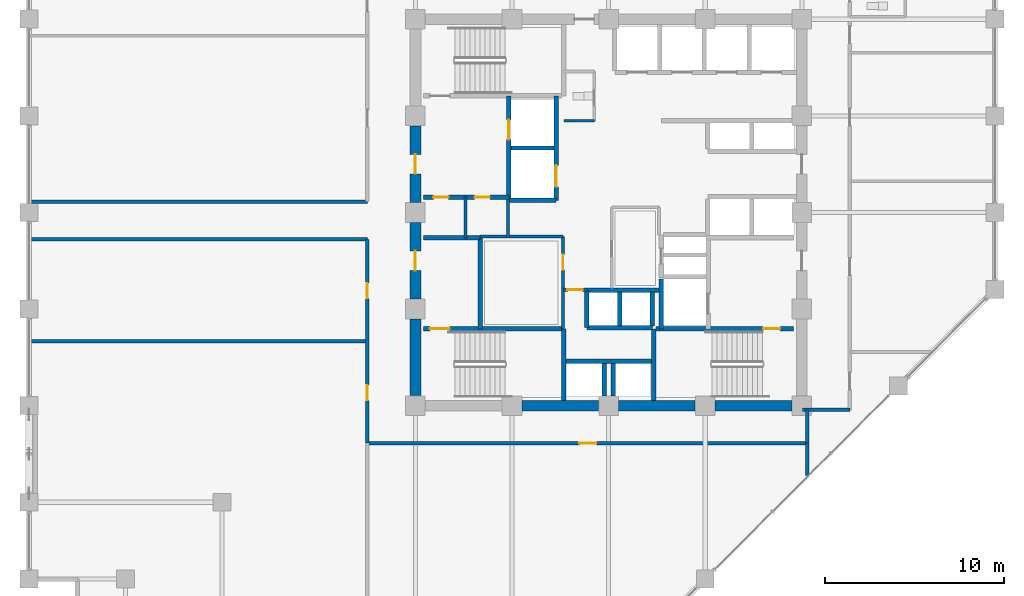
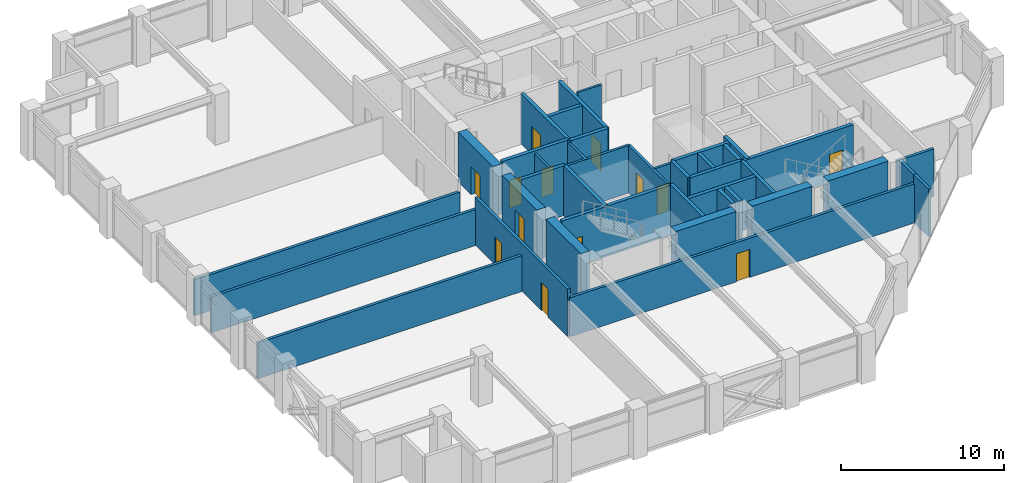
# One storey, part 19 of 23: 40 walls, 13 doors, 13 openings.
"""IFC4 building model written with IfcOpenShell, lengths in metres."""

from ifc_helpers import new_model, si_unit, direction, frame, frame_2d, origin, place, context, subcontext, project, spatial, rectangle, extrude, material, layer, layer_set, type_object, element, fill, save


model = new_model("IFC4")

# Units and contexts
model_context = context("Model", 3, precision=1e-05, world=origin(), true_north=direction((0.0, 1.0)))
body_context = subcontext(model_context, "Body", "Model", "MODEL_VIEW")
ifc_project = project(units=[si_unit("LENGTHUNIT", "METRE"), si_unit("AREAUNIT", "SQUARE_METRE"), si_unit("VOLUMEUNIT", "CUBIC_METRE"), si_unit("PLANEANGLEUNIT", "RADIAN"), si_unit("MASSUNIT", "GRAM", prefix="KILO")], contexts=[model_context])

# Site, building, storey
site_placement = place(None, origin())
site = spatial("IfcSite", under=ifc_project, at=site_placement, CompositionType="ELEMENT")
building_placement = place(site_placement, origin())
building = spatial("IfcBuilding", under=site, at=building_placement, Name="Surkhivell Harbour Commons", CompositionType="ELEMENT")
storey_placement = place(building_placement, frame((0.0, 0.0, 128.25)))
storey = spatial("IfcBuildingStorey", under=building, at=storey_placement, Name="L33", CompositionType="ELEMENT", Elevation=128.25)

# Walls
ifc_material_1 = material(Name="Concrete C60/75", Category="concrete")
ifc_layer_1 = layer(ifc_material_1, 0.60009765625)
ifc_layer_set_1 = layer_set([ifc_layer_1], Name="Concrete C60/75")
wall_type_1 = type_object("IfcWallType", Name="WAL-CORE-600", PredefinedType="SHEAR", material=ifc_layer_set_1)
for number, where, z_axis, x_axis, name in (
    (1, (-10.800048828125, -10.239990234375, 0.0), (0.0, 0.0, 1.0), (0.0, 1.0, 0.0), "L33 Core Shear Wall West 1"),
    (2, (-4.840087890625, -10.800048828125, 0.0), (0.0, 0.0, 1.0), (1.0, 0.0, 0.0), "L33 Core Shear Wall South 2"),
):
    element("IfcWall", number, at=place(storey_placement, frame(where, z_axis=z_axis, x_axis=x_axis)), inside=storey, type_object=wall_type_1, Name=name, PredefinedType="SHEAR", context=body_context, shape_type="SweptSolid", body=[
        extrude(rectangle(XDim=4.280029296875, YDim=0.60009765625, at=frame_2d((2.14013671875, 0.0))), origin(), (0.0, 0.0, 1.0), 3.75),
    ])

# Wall, opening, door
wall_1_placement = place(storey_placement, frame((-10.800048828125, -4.840087890625, 0.0), z_axis=(0.0, 0.0, 1.0), x_axis=(0.0, 1.0, 0.0)))
wall_1 = element("IfcWall", 3, at=wall_1_placement, inside=storey, type_object=wall_type_1, Name="L33 Core Shear Wall West 2", PredefinedType="SHEAR", context=body_context, shape_type="SweptSolid", body=[
    extrude(rectangle(XDim=4.280029296875, YDim=0.60009765625, at=frame_2d((2.14013671875, 0.0))), origin(), (0.0, 0.0, 1.0), 3.75),
])
opening_1_placement = place(wall_1_placement, frame((1.590087890625, 0.0, 0.0)))
opening_1 = element("IfcOpeningElement", 4, at=opening_1_placement, cuts=wall_1, Name="Opening ID-2", PredefinedType="OPENING", context=body_context, shape_type="SweptSolid", body=[
    extrude(rectangle(XDim=1.10009765625, YDim=2.10009765625, at=frame_2d((0.550048828125, 1.050048828125))), frame((0.0, 0.31005859375, 0.0), z_axis=(0.0, -1.0, 0.0), x_axis=(1.0, 0.0, 0.0)), (0.0, 0.0, 1.0), 0.6201171875),
])
ifc_material_2 = material(Name="Hardwood-veneered fire-rated door leaf", Category="wood")
door_type_1 = type_object("IfcDoorType", Name="DOR-FD60-1100", OperationType="NOTDEFINED", PredefinedType="DOOR", material=ifc_material_2)
door_1_placement = place(opening_1_placement, origin())
door_1 = element("IfcDoor", 5, at=door_1_placement, inside=storey, type_object=door_type_1, Name="L33 Stair 3 Lobby Corridor Door", OperationType="SINGLE_SWING_LEFT", OverallHeight=2.10009765625, OverallWidth=1.10009765625, PredefinedType="DOOR", context=body_context, shape_type="SweptSolid", body=[
    extrude(rectangle(XDim=1.10009765625, YDim=2.10009765625, at=frame_2d((0.550048828125, 1.050048828125))), frame((0.0, 0.02490234375, 0.0), z_axis=(0.0, -1.0, 0.0), x_axis=(1.0, 0.0, 0.0)), (0.0, 0.0, 1.0), 0.050048828125),
])
fill(opening_1, door_1)

# Wall
wall_2_placement = place(storey_placement, frame((0.56005859375, -10.800048828125, 0.0), z_axis=(0.0, 0.0, 1.0), x_axis=(1.0, 0.0, 0.0)))
element("IfcWall", 6, at=wall_2_placement, inside=storey, type_object=wall_type_1, Name="L33 Core Shear Wall South 3", PredefinedType="SHEAR", context=body_context, shape_type="SweptSolid", body=[
    extrude(rectangle(XDim=4.280029296875, YDim=0.60009765625, at=frame_2d((2.14013671875, 0.0))), origin(), (0.0, 0.0, 1.0), 3.75),
])

# Wall, opening, door
wall_3_placement = place(storey_placement, frame((-10.800048828125, 0.56005859375, 0.0), z_axis=(0.0, 0.0, 1.0), x_axis=(0.0, 1.0, 0.0)))
wall_3 = element("IfcWall", 7, at=wall_3_placement, inside=storey, type_object=wall_type_1, Name="L33 Core Shear Wall West 3", PredefinedType="SHEAR", context=body_context, shape_type="SweptSolid", body=[
    extrude(rectangle(XDim=4.280029296875, YDim=0.60009765625, at=frame_2d((2.14013671875, 0.0))), origin(), (0.0, 0.0, 1.0), 3.75),
])
opening_2_placement = place(wall_3_placement, frame((1.590087890625, 0.0, 0.0)))
opening_2 = element("IfcOpeningElement", 8, at=opening_2_placement, cuts=wall_3, Name="Opening ID-1", PredefinedType="OPENING", context=body_context, shape_type="SweptSolid", body=[
    extrude(rectangle(XDim=1.10009765625, YDim=2.10009765625, at=frame_2d((0.550048828125, 1.050048828125))), frame((0.0, 0.31005859375, 0.0), z_axis=(0.0, -1.0, 0.0), x_axis=(1.0, 0.0, 0.0)), (0.0, 0.0, 1.0), 0.6201171875),
])
door_type_2 = type_object("IfcDoorType", Name="DOR-FD120-1100", OperationType="NOTDEFINED", PredefinedType="DOOR", material=ifc_material_2)
door_2_placement = place(opening_2_placement, origin())
door_2 = element("IfcDoor", 9, at=door_2_placement, inside=storey, type_object=door_type_2, Name="L33 Firefighting Lobby 1 Corridor Door", OperationType="SINGLE_SWING_LEFT", OverallHeight=2.10009765625, OverallWidth=1.10009765625, PredefinedType="DOOR", context=body_context, shape_type="SweptSolid", body=[
    extrude(rectangle(XDim=1.10009765625, YDim=2.10009765625, at=frame_2d((0.550048828125, 1.050048828125))), frame((0.0, 0.02490234375, 0.0), z_axis=(0.0, -1.0, 0.0), x_axis=(1.0, 0.0, 0.0)), (0.0, 0.0, 1.0), 0.050048828125),
])
fill(opening_2, door_2)

# Walls
wall_4_placement = place(storey_placement, frame((5.9599609375, -10.800048828125, 0.0), z_axis=(0.0, 0.0, 1.0), x_axis=(1.0, 0.0, 0.0)))
element("IfcWall", 10, at=wall_4_placement, inside=storey, type_object=wall_type_1, Name="L33 Core Shear Wall South 4", PredefinedType="SHEAR", context=body_context, shape_type="SweptSolid", body=[
    extrude(rectangle(XDim=4.280029296875, YDim=0.60009765625, at=frame_2d((2.14013671875, 0.0))), origin(), (0.0, 0.0, 1.0), 3.75),
])
ifc_material_3 = material(Name="Twin-stud acoustic fireboard partition", Category="other")
ifc_layer_2 = layer(ifc_material_3, 0.14990234375)
ifc_layer_set_2 = layer_set([ifc_layer_2], Name="Twin-stud acoustic fireboard partition")
wall_type_2 = type_object("IfcWallType", Name="WAL-INT-150", PredefinedType="PARTITIONING", material=ifc_layer_set_2)
wall_5_placement = place(storey_placement, frame((-2.47998046875, 5.1201171875, 0.0), z_axis=(0.0, 0.0, 1.0), x_axis=(1.0, 0.0, 0.0)))
element("IfcWall", 11, at=wall_5_placement, inside=storey, type_object=wall_type_2, Name="L33 Core Accessible WC South Wall", PredefinedType="PARTITIONING", context=body_context, shape_type="SweptSolid", body=[
    extrude(rectangle(XDim=1.679931640625, YDim=0.14990234375, at=frame_2d((0.83984375, 0.0))), origin(), (0.0, 0.0, 1.0), 3.570068359375),
])
wall_6_placement = place(storey_placement, frame((-8.0, -1.419921875, 0.0), z_axis=(0.0, 0.0, 1.0), x_axis=(0.0, 1.0, 0.0)))
element("IfcWall", 12, at=wall_6_placement, inside=storey, type_object=wall_type_2, Name="L33 West Core Cut D1", PredefinedType="PARTITIONING", context=body_context, shape_type="SweptSolid", body=[
    extrude(rectangle(XDim=2.27001953125, YDim=0.14990234375, at=frame_2d((1.135009765625, 0.0))), origin(), (0.0, 0.0, 1.0), 3.570068359375),
])

# Wall, opening, door
ifc_material_4 = material(Name="High-density acoustic blockwork fire partition", Category="masonry")
ifc_layer_3 = layer(ifc_material_4, 0.175048828125)
ifc_layer_set_3 = layer_set([ifc_layer_3], Name="High-density acoustic blockwork fire partition")
wall_type_3 = type_object("IfcWallType", Name="WAL-INT-175", PredefinedType="PARTITIONING", material=ifc_layer_set_3)
wall_7_placement = place(storey_placement, frame((-2.550048828125, -6.510009765625, 0.0), z_axis=(0.0, 0.0, 1.0), x_axis=(0.0, 1.0, 0.0)))
wall_7 = element("IfcWall", 13, at=wall_7_placement, inside=storey, type_object=wall_type_3, Name="L33 Core Service Bay East Wall", PredefinedType="PARTITIONING", context=body_context, shape_type="SweptSolid", body=[
    extrude(rectangle(XDim=5.159912109375, YDim=0.175048828125, at=frame_2d((2.580078125, 0.0))), origin(), (0.0, 0.0, 1.0), 3.570068359375),
])
opening_3_placement = place(wall_7_placement, frame((3.300048828125, 0.0, 0.0)))
opening_3 = element("IfcOpeningElement", 14, at=opening_3_placement, cuts=wall_7, Name="Opening ID-6", PredefinedType="OPENING", context=body_context, shape_type="SweptSolid", body=[
    extrude(rectangle(XDim=0.85009765625, YDim=2.10009765625, at=frame_2d((0.425048828125, 1.050048828125))), frame((0.0, 0.097412109375, 0.0), z_axis=(0.0, -1.0, 0.0), x_axis=(1.0, 0.0, 0.0)), (0.0, 0.0, 1.0), 0.195068359375),
])
door_type_3 = type_object("IfcDoorType", Name="DOR-FD30-850", OperationType="NOTDEFINED", PredefinedType="DOOR", material=ifc_material_2)
door_3_placement = place(opening_3_placement, origin())
door_3 = element("IfcDoor", 15, at=door_3_placement, inside=storey, type_object=door_type_3, Name="L33 Core Quiet Reading Door", OperationType="SINGLE_SWING_RIGHT", OverallHeight=2.10009765625, OverallWidth=0.85009765625, PredefinedType="DOOR", context=body_context, shape_type="SweptSolid", body=[
    extrude(rectangle(XDim=0.85009765625, YDim=2.10009765625, at=frame_2d((0.425048828125, 1.050048828125))), frame((0.0, 0.02490234375, 0.0), z_axis=(0.0, -1.0, 0.0), x_axis=(1.0, 0.0, 0.0)), (0.0, 0.0, 1.0), 0.050048828125),
])
fill(opening_3, door_3)

# Walls
wall_8_placement = place(storey_placement, frame((-7.179931640625, -1.35009765625, 0.0), z_axis=(0.0, 0.0, 1.0), x_axis=(1.0, 0.0, 0.0)))
element("IfcWall", 16, at=wall_8_placement, inside=storey, type_object=wall_type_3, Name="L33 Core Service Bay North Wall", PredefinedType="PARTITIONING", context=body_context, shape_type="SweptSolid", body=[
    extrude(rectangle(XDim=4.6298828125, YDim=0.175048828125, at=frame_2d((2.31494140625, 0.0))), origin(), (0.0, 0.0, 1.0), 3.570068359375),
])
wall_9_placement = place(storey_placement, frame((-5.6201171875, -1.419921875, 0.0), z_axis=(0.0, 0.0, 1.0), x_axis=(0.0, 1.0, 0.0)))
element("IfcWall", 17, at=wall_9_placement, inside=storey, type_object=wall_type_3, Name="L33 West Core Bay East Wall", PredefinedType="PARTITIONING", context=body_context, shape_type="SweptSolid", body=[
    extrude(rectangle(XDim=2.139892578125, YDim=0.175048828125, at=frame_2d((1.06982421875, 0.0))), origin(), (0.0, 0.0, 1.0), 3.570068359375),
])

# Wall, opening, door
wall_10_placement = place(storey_placement, frame((-2.52001953125, -4.320068359375, 0.0), z_axis=(0.0, 0.0, 1.0), x_axis=(1.0, 0.0, 0.0)))
wall_10 = element("IfcWall", 18, at=wall_10_placement, inside=storey, type_object=wall_type_3, Name="L33 High-Rise Lobby North Portal Wall", PredefinedType="PARTITIONING", context=body_context, shape_type="SweptSolid", body=[
    extrude(rectangle(XDim=1.300048828125, YDim=0.175048828125, at=frame_2d((0.64990234375, 0.0))), origin(), (0.0, 0.0, 1.0), 3.570068359375),
])
opening_4_placement = place(wall_10_placement, frame((0.219970703125, 0.0, 0.0)))
opening_4 = element("IfcOpeningElement", 19, at=opening_4_placement, cuts=wall_10, Name="Opening ID-6", PredefinedType="OPENING", context=body_context, shape_type="SweptSolid", body=[
    extrude(rectangle(XDim=0.85009765625, YDim=2.10009765625, at=frame_2d((0.425048828125, 1.050048828125))), frame((0.0, 0.097412109375, 0.0), z_axis=(0.0, -1.0, 0.0), x_axis=(1.0, 0.0, 0.0)), (0.0, 0.0, 1.0), 0.195068359375),
])
door_4_placement = place(opening_4_placement, origin())
door_4 = element("IfcDoor", 20, at=door_4_placement, inside=storey, type_object=door_type_3, Name="L33 High-Rise Lift Lobby North Door", OperationType="SINGLE_SWING_LEFT", OverallHeight=2.10009765625, OverallWidth=0.85009765625, PredefinedType="DOOR", context=body_context, shape_type="SweptSolid", body=[
    extrude(rectangle(XDim=0.85009765625, YDim=2.10009765625, at=frame_2d((0.425048828125, 1.050048828125))), frame((0.0, 0.02490234375, 0.0), z_axis=(0.0, -1.0, 0.0), x_axis=(1.0, 0.0, 0.0)), (0.0, 0.0, 1.0), 0.050048828125),
])
fill(opening_4, door_4)

# Walls
ifc_material_5 = material(Name="Autoclaved aerated concrete blockwork and fire plaster", Category="masonry")
ifc_layer_4 = layer(ifc_material_5, 0.199951171875)
ifc_layer_set_4 = layer_set([ifc_layer_4], Name="Autoclaved aerated concrete blockwork and fire plaster")
wall_type_4 = type_object("IfcWallType", Name="WAL-INT-200", PredefinedType="PARTITIONING", material=ifc_layer_set_4)
wall_11_placement = place(storey_placement, frame((11.10009765625, -14.715087890625, 0.0), z_axis=(0.0, 0.0, 1.0), x_axis=(0.0, 1.0, 0.0)))
element("IfcWall", 21, at=wall_11_placement, inside=storey, type_object=wall_type_4, Name="L33 South-East Wing Corner Divider", PredefinedType="PARTITIONING", context=body_context, shape_type="SweptSolid", body=[
    extrude(rectangle(XDim=1.815185546875, YDim=0.199951171875, at=frame_2d((0.90771484375, 0.0))), origin(), (0.0, 0.0, 1.0), 3.570068359375),
])
wall_12_placement = place(storey_placement, frame((10.85009765625, -11.0400390625, 0.0), z_axis=(0.0, 0.0, 1.0), x_axis=(1.0, 0.0, 0.0)))
element("IfcWall", 22, at=wall_12_placement, inside=storey, type_object=wall_type_4, Name="L33 Corridor East South Closure Wall", PredefinedType="PARTITIONING", context=body_context, shape_type="SweptSolid", body=[
    extrude(rectangle(XDim=2.6298828125, YDim=0.199951171875, at=frame_2d((1.31494140625, 0.0))), origin(), (0.0, 0.0, 1.0), 3.570068359375),
])

# Wall, opening, door
wall_13_placement = place(storey_placement, frame((-13.47998046875, -12.89990234375, 0.0), z_axis=(0.0, 0.0, 1.0), x_axis=(1.0, 0.0, 0.0)))
wall_13 = element("IfcWall", 23, at=wall_13_placement, inside=storey, type_object=wall_type_4, Name="L33 Corridor South Wall", PredefinedType="PARTITIONING", context=body_context, shape_type="SweptSolid", body=[
    extrude(rectangle(XDim=24.580078125, YDim=0.199951171875, at=frame_2d((12.2900390625, 0.0))), origin(), (0.0, 0.0, 1.0), 2.93310546875),
])
opening_5_placement = place(wall_13_placement, frame((11.840087890625, 0.0, 0.0)))
opening_5 = element("IfcOpeningElement", 24, at=opening_5_placement, cuts=wall_13, Name="Opening ID-4", PredefinedType="OPENING", context=body_context, shape_type="SweptSolid", body=[
    extrude(rectangle(XDim=0.949951171875, YDim=2.10009765625, at=frame_2d((0.47509765625, 1.050048828125))), frame((0.0, 0.10986328125, 0.0), z_axis=(0.0, -1.0, 0.0), x_axis=(1.0, 0.0, 0.0)), (0.0, 0.0, 1.0), 0.219970703125),
])
door_type_4 = type_object("IfcDoorType", Name="DOR-FD60-950", OperationType="NOTDEFINED", PredefinedType="DOOR", material=ifc_material_2)
door_5_placement = place(opening_5_placement, origin())
door_5 = element("IfcDoor", 25, at=door_5_placement, inside=storey, type_object=door_type_4, Name="L33 Harbour Social Lounge South Door", OperationType="SINGLE_SWING_LEFT", OverallHeight=2.10009765625, OverallWidth=0.949951171875, PredefinedType="DOOR", context=body_context, shape_type="SweptSolid", body=[
    extrude(rectangle(XDim=0.949951171875, YDim=2.10009765625, at=frame_2d((0.47509765625, 1.050048828125))), frame((0.0, 0.02490234375, 0.0), z_axis=(0.0, -1.0, 0.0), x_axis=(1.0, 0.0, 0.0)), (0.0, 0.0, 1.0), 0.050048828125),
])
fill(opening_5, door_5)

# Walls
wall_14_placement = place(storey_placement, frame((11.10009765625, -12.89990234375, 0.0), z_axis=(0.0, 0.0, 1.0), x_axis=(0.0, 1.0, 0.0)))
element("IfcWall", 26, at=wall_14_placement, inside=storey, type_object=wall_type_4, Name="L33 Corridor SE Closure Wall", PredefinedType="PARTITIONING", context=body_context, shape_type="SweptSolid", body=[
    extrude(rectangle(XDim=1.85986328125, YDim=0.199951171875, at=frame_2d((0.929931640625, 0.0))), origin(), (0.0, 0.0, 1.0), 3.570068359375),
])
for number, where, z_axis, x_axis, name in (
    (27, (-32.340087890625, 0.60009765625, 0.0), (0.0, 0.0, 1.0), (1.0, 0.0, 0.0), "L33 West Alcove North Wall"),
    (28, (-32.340087890625, -1.5, 0.0), (0.0, 0.0, 1.0), (1.0, 0.0, 0.0), "L33 West Alcove South Wall"),
):
    element("IfcWall", number, at=place(storey_placement, frame(where, z_axis=z_axis, x_axis=x_axis)), inside=storey, type_object=wall_type_4, Name=name, PredefinedType="PARTITIONING", context=body_context, shape_type="SweptSolid", body=[
        extrude(rectangle(XDim=18.860107421875, YDim=0.199951171875, at=frame_2d((9.43017578125, 0.0))), origin(), (0.0, 0.0, 1.0), 2.698974609375),
    ])

# Wall, openings, doors
wall_15_placement = place(storey_placement, frame((-13.47998046875, -12.89990234375, 0.0), z_axis=(0.0, 0.0, 1.0), x_axis=(0.0, 1.0, 0.0)))
wall_15 = element("IfcWall", 29, at=wall_15_placement, inside=storey, type_object=wall_type_4, Name="L33 Corridor West-Lower Wall", PredefinedType="PARTITIONING", context=body_context, shape_type="SweptSolid", body=[
    extrude(rectangle(XDim=11.39990234375, YDim=0.199951171875, at=frame_2d((5.699951171875, 0.0))), origin(), (0.0, 0.0, 1.0), 3.570068359375),
])
opening_6_placement = place(wall_15_placement, frame((2.39990234375, 0.0, 0.0)))
opening_6 = element("IfcOpeningElement", 30, at=opening_6_placement, cuts=wall_15, Name="Opening ID-6", PredefinedType="OPENING", context=body_context, shape_type="SweptSolid", body=[
    extrude(rectangle(XDim=0.85009765625, YDim=2.10009765625, at=frame_2d((0.425048828125, 1.050048828125))), frame((0.0, 0.10986328125, 0.0), z_axis=(0.0, -1.0, 0.0), x_axis=(1.0, 0.0, 0.0)), (0.0, 0.0, 1.0), 0.219970703125),
])
opening_7_placement = place(wall_15_placement, frame((8.10009765625, 0.0, 0.0)))
opening_7 = element("IfcOpeningElement", 31, at=opening_7_placement, cuts=wall_15, Name="Opening ID-6", PredefinedType="OPENING", context=body_context, shape_type="SweptSolid", body=[
    extrude(rectangle(XDim=0.85009765625, YDim=2.10009765625, at=frame_2d((0.425048828125, 1.050048828125))), frame((0.0, 0.10986328125, 0.0), z_axis=(0.0, -1.0, 0.0), x_axis=(1.0, 0.0, 0.0)), (0.0, 0.0, 1.0), 0.219970703125),
])
door_6_placement = place(opening_6_placement, origin())
door_6 = element("IfcDoor", 32, at=door_6_placement, inside=storey, type_object=door_type_3, Name="L33 Campus Co-Op Bookshop South-West Door", OperationType="SINGLE_SWING_LEFT", OverallHeight=2.10009765625, OverallWidth=0.85009765625, PredefinedType="DOOR", context=body_context, shape_type="SweptSolid", body=[
    extrude(rectangle(XDim=0.85009765625, YDim=2.10009765625, at=frame_2d((0.425048828125, 1.050048828125))), frame((0.0, 0.02490234375, 0.0), z_axis=(0.0, -1.0, 0.0), x_axis=(1.0, 0.0, 0.0)), (0.0, 0.0, 1.0), 0.050048828125),
])
fill(opening_6, door_6)
door_7_placement = place(opening_7_placement, origin())
door_7 = element("IfcDoor", 33, at=door_7_placement, inside=storey, type_object=door_type_3, Name="L33 Harbour Espresso Cafe Shop South-West Door", OperationType="SINGLE_SWING_RIGHT", OverallHeight=2.10009765625, OverallWidth=0.85009765625, PredefinedType="DOOR", context=body_context, shape_type="SweptSolid", body=[
    extrude(rectangle(XDim=0.85009765625, YDim=2.10009765625, at=frame_2d((0.425048828125, 1.050048828125))), frame((0.0, 0.02490234375, 0.0), z_axis=(0.0, -1.0, 0.0), x_axis=(1.0, 0.0, 0.0)), (0.0, 0.0, 1.0), 0.050048828125),
])
fill(opening_7, door_7)

# Wall
wall_16_placement = place(storey_placement, frame((-32.340087890625, -7.199951171875, 0.0), z_axis=(0.0, 0.0, 1.0), x_axis=(1.0, 0.0, 0.0)))
element("IfcWall", 34, at=wall_16_placement, inside=storey, type_object=wall_type_4, Name="L33 South-West Partition P1", PredefinedType="PARTITIONING", context=body_context, shape_type="SweptSolid", body=[
    extrude(rectangle(XDim=18.860107421875, YDim=0.199951171875, at=frame_2d((9.43017578125, 0.0))), origin(), (0.0, 0.0, 1.0), 2.698974609375),
])

# Wall, opening, door
ifc_material_6 = material(Name="Concrete C50/60", Category="concrete")
ifc_layer_5 = layer(ifc_material_6, 0.25)
ifc_layer_set_5 = layer_set([ifc_layer_5], Name="Concrete C50/60")
wall_type_5 = type_object("IfcWallType", Name="WAL-SHAFT-250", PredefinedType="SHEAR", material=ifc_layer_set_5)
wall_17_placement = place(storey_placement, frame((-5.580078125, 0.719970703125, 0.0), z_axis=(0.0, 0.0, 1.0), x_axis=(0.0, 1.0, 0.0)))
wall_17 = element("IfcWall", 35, at=wall_17_placement, inside=storey, type_object=wall_type_5, Name="L33 Firefighting Lobby 1 East Shaft Wall", PredefinedType="SHEAR", context=body_context, shape_type="SweptSolid", body=[
    extrude(rectangle(XDim=5.7900390625, YDim=0.25, at=frame_2d((2.89501953125, 0.0))), origin(), (0.0, 0.0, 1.0), 3.75),
])
opening_8_placement = place(wall_17_placement, frame((3.35009765625, 0.0, 0.0)))
opening_8 = element("IfcOpeningElement", 36, at=opening_8_placement, cuts=wall_17, Name="Opening LD-1", PredefinedType="OPENING", context=body_context, shape_type="SweptSolid", body=[
    extrude(rectangle(XDim=1.10009765625, YDim=2.10009765625, at=frame_2d((0.550048828125, 1.050048828125))), frame((0.0, 0.135009765625, 0.0), z_axis=(0.0, -1.0, 0.0), x_axis=(1.0, 0.0, 0.0)), (0.0, 0.0, 1.0), 0.27001953125),
])
ifc_material_7 = material(Name="Brushed stainless steel S355", Category="steel")
door_type_5 = type_object("IfcDoorType", Name="DOR-LD-1100", OperationType="SLIDING_TO_LEFT", PredefinedType="DOOR", material=ifc_material_7)
door_8_placement = place(opening_8_placement, origin())
door_8 = element("IfcDoor", 37, at=door_8_placement, inside=storey, type_object=door_type_5, Name="L33 Lift Landing Door LD-FFL1", OperationType="SLIDING_TO_LEFT", OverallHeight=2.10009765625, OverallWidth=1.10009765625, PredefinedType="DOOR", context=body_context, shape_type="SweptSolid", body=[
    extrude(rectangle(XDim=1.10009765625, YDim=2.10009765625, at=frame_2d((0.550048828125, 1.050048828125))), frame((0.0, 0.02490234375, 0.0), z_axis=(0.0, -1.0, 0.0), x_axis=(1.0, 0.0, 0.0)), (0.0, 0.0, 1.0), 0.050048828125),
])
fill(opening_8, door_8)

# Wall, openings, doors
wall_18_placement = place(storey_placement, frame((-10.340087890625, 0.85009765625, 0.0), z_axis=(0.0, 0.0, 1.0), x_axis=(1.0, 0.0, 0.0)))
wall_18 = element("IfcWall", 38, at=wall_18_placement, inside=storey, type_object=wall_type_5, Name="L33 Firefighting Lobby 1 South Wall", PredefinedType="SHEAR", context=body_context, shape_type="SweptSolid", body=[
    extrude(rectangle(XDim=4.760009765625, YDim=0.25, at=frame_2d((2.3798828125, 0.0))), origin(), (0.0, 0.0, 1.0), 3.75),
])
opening_9_placement = place(wall_18_placement, frame((0.550048828125, 0.0, 0.0)))
opening_9 = element("IfcOpeningElement", 39, at=opening_9_placement, cuts=wall_18, Name="Opening ID-6", PredefinedType="OPENING", context=body_context, shape_type="SweptSolid", body=[
    extrude(rectangle(XDim=0.85009765625, YDim=2.10009765625, at=frame_2d((0.425048828125, 1.050048828125))), frame((0.0, 0.135009765625, 0.0), z_axis=(0.0, -1.0, 0.0), x_axis=(1.0, 0.0, 0.0)), (0.0, 0.0, 1.0), 0.27001953125),
])
opening_10_placement = place(wall_18_placement, frame((2.85009765625, 0.0, 0.0)))
opening_10 = element("IfcOpeningElement", 40, at=opening_10_placement, cuts=wall_18, Name="Opening ID-6", PredefinedType="OPENING", context=body_context, shape_type="SweptSolid", body=[
    extrude(rectangle(XDim=0.85009765625, YDim=2.10009765625, at=frame_2d((0.425048828125, 1.050048828125))), frame((0.0, 0.135009765625, 0.0), z_axis=(0.0, -1.0, 0.0), x_axis=(1.0, 0.0, 0.0)), (0.0, 0.0, 1.0), 0.27001953125),
])
door_9_placement = place(opening_9_placement, origin())
door_9 = element("IfcDoor", 41, at=door_9_placement, inside=storey, type_object=door_type_3, Name="L33 West Seminar Pod Door", OperationType="SINGLE_SWING_LEFT", OverallHeight=2.10009765625, OverallWidth=0.85009765625, PredefinedType="DOOR", context=body_context, shape_type="SweptSolid", body=[
    extrude(rectangle(XDim=0.85009765625, YDim=2.10009765625, at=frame_2d((0.425048828125, 1.050048828125))), frame((0.0, 0.02490234375, 0.0), z_axis=(0.0, -1.0, 0.0), x_axis=(1.0, 0.0, 0.0)), (0.0, 0.0, 1.0), 0.050048828125),
])
fill(opening_9, door_9)
door_10_placement = place(opening_10_placement, origin())
door_10 = element("IfcDoor", 42, at=door_10_placement, inside=storey, type_object=door_type_3, Name="L33 West Reading Pod Door", OperationType="SINGLE_SWING_RIGHT", OverallHeight=2.10009765625, OverallWidth=0.85009765625, PredefinedType="DOOR", context=body_context, shape_type="SweptSolid", body=[
    extrude(rectangle(XDim=0.85009765625, YDim=2.10009765625, at=frame_2d((0.425048828125, 1.050048828125))), frame((0.0, 0.02490234375, 0.0), z_axis=(0.0, -1.0, 0.0), x_axis=(1.0, 0.0, 0.0)), (0.0, 0.0, 1.0), 0.050048828125),
])
fill(opening_10, door_10)

# Walls
wall_19_placement = place(storey_placement, frame((2.929931640625, -6.510009765625, 0.0), z_axis=(0.0, 0.0, 1.0), x_axis=(0.0, 1.0, 0.0)))
element("IfcWall", 43, at=wall_19_placement, inside=storey, type_object=wall_type_5, Name="L33 FFL2 West Shaft Wall", PredefinedType="SHEAR", context=body_context, shape_type="SweptSolid", body=[
    extrude(rectangle(XDim=2.7900390625, YDim=0.25, at=frame_2d((1.39501953125, 0.0))), origin(), (0.0, 0.0, 1.0), 3.75),
])
for number, where, z_axis, x_axis, name in (
    (44, (0.6201171875, -6.340087890625, 0.0), (0.0, 0.0, 1.0), (0.0, 1.0, 0.0), "L33 High-Rise Side Wall N"),
    (45, (2.449951171875, -6.340087890625, 0.0), (0.0, 0.0, 1.0), (0.0, 1.0, 0.0), "L33 High-Rise Side Wall N"),
):
    element("IfcWall", number, at=place(storey_placement, frame(where, z_axis=z_axis, x_axis=x_axis)), inside=storey, type_object=wall_type_5, Name=name, PredefinedType="SHEAR", context=body_context, shape_type="SweptSolid", body=[
        extrude(rectangle(XDim=1.880126953125, YDim=0.25, at=frame_2d((0.93994140625, 0.0))), origin(), (0.0, 0.0, 1.0), 3.75),
    ])
for number, where, z_axis, x_axis, name in (
    (46, (-0.25, -10.25, 0.0), (0.0, 0.0, 1.0), (0.0, 1.0, 0.0), "L33 High-Rise Side Wall S"),
    (47, (0.25, -10.25, 0.0), (0.0, 0.0, 1.0), (0.0, 1.0, 0.0), "L33 High-Rise Side Wall S"),
):
    element("IfcWall", number, at=place(storey_placement, frame(where, z_axis=z_axis, x_axis=x_axis)), inside=storey, type_object=wall_type_5, Name=name, PredefinedType="SHEAR", context=body_context, shape_type="SweptSolid", body=[
        extrude(rectangle(XDim=1.81005859375, YDim=0.25, at=frame_2d((0.905029296875, 0.0))), origin(), (0.0, 0.0, 1.0), 3.75),
    ])
wall_20_placement = place(storey_placement, frame((-1.219970703125, -6.43994140625, 0.0), z_axis=(0.0, 0.0, 1.0), x_axis=(0.0, 1.0, 0.0)))
element("IfcWall", 48, at=wall_20_placement, inside=storey, type_object=wall_type_5, Name="L33 High-Rise Passage East Shaft Wall", PredefinedType="SHEAR", context=body_context, shape_type="SweptSolid", body=[
    extrude(rectangle(XDim=2.079833984375, YDim=0.25, at=frame_2d((1.0400390625, 0.0))), origin(), (0.0, 0.0, 1.0), 3.75),
])
wall_21_placement = place(storey_placement, frame((-1.219970703125, -6.43994140625, 0.0), z_axis=(0.0, 0.0, 1.0), x_axis=(1.0, 0.0, 0.0)))
element("IfcWall", 49, at=wall_21_placement, inside=storey, type_object=wall_type_5, Name="L33 High-Rise North Front Shaft Wall", PredefinedType="SHEAR", context=body_context, shape_type="SweptSolid", body=[
    extrude(rectangle(XDim=3.669921875, YDim=0.25, at=frame_2d((1.8349609375, 0.0))), origin(), (0.0, 0.0, 1.0), 3.75),
])
wall_22_placement = place(storey_placement, frame((-2.47998046875, -8.320068359375, 0.0), z_axis=(0.0, 0.0, 1.0), x_axis=(1.0, 0.0, 0.0)))
element("IfcWall", 50, at=wall_22_placement, inside=storey, type_object=wall_type_5, Name="L33 High-Rise South Front Shaft Wall", PredefinedType="SHEAR", context=body_context, shape_type="SweptSolid", body=[
    extrude(rectangle(XDim=4.929931640625, YDim=0.25, at=frame_2d((2.46484375, 0.0))), origin(), (0.0, 0.0, 1.0), 3.75),
])
wall_23_placement = place(storey_placement, frame((-1.219970703125, -4.360107421875, 0.0), z_axis=(0.0, 0.0, 1.0), x_axis=(1.0, 0.0, 0.0)))
element("IfcWall", 51, at=wall_23_placement, inside=storey, type_object=wall_type_5, Name="L33 High-Rise North Back Shaft Wall", PredefinedType="SHEAR", context=body_context, shape_type="SweptSolid", body=[
    extrude(rectangle(XDim=4.030029296875, YDim=0.25, at=frame_2d((2.01513671875, 0.0))), origin(), (0.0, 0.0, 1.0), 3.75),
])

# Wall, opening, door
wall_24_placement = place(storey_placement, frame((2.639892578125, -6.510009765625, 0.0), z_axis=(0.0, 0.0, 1.0), x_axis=(1.0, 0.0, 0.0)))
wall_24 = element("IfcWall", 52, at=wall_24_placement, inside=storey, type_object=wall_type_5, Name="L33 Stair ST2 North Shear Wall", PredefinedType="SHEAR", context=body_context, shape_type="SweptSolid", body=[
    extrude(rectangle(XDim=7.7001953125, YDim=0.25, at=frame_2d((3.85009765625, 0.0))), origin(), (0.0, 0.0, 1.0), 3.75),
])
opening_11_placement = place(wall_24_placement, frame((6.0, 0.0, 0.0)))
opening_11 = element("IfcOpeningElement", 53, at=opening_11_placement, cuts=wall_24, Name="Opening ID-4", PredefinedType="OPENING", context=body_context, shape_type="SweptSolid", body=[
    extrude(rectangle(XDim=0.949951171875, YDim=2.10009765625, at=frame_2d((0.47509765625, 1.050048828125))), frame((0.0, 0.135009765625, 0.0), z_axis=(0.0, -1.0, 0.0), x_axis=(1.0, 0.0, 0.0)), (0.0, 0.0, 1.0), 0.27001953125),
])
door_11_placement = place(opening_11_placement, origin())
door_11 = element("IfcDoor", 54, at=door_11_placement, inside=storey, type_object=door_type_4, Name="L33 Stair ST2 Exit Door", OperationType="SINGLE_SWING_RIGHT", OverallHeight=2.10009765625, OverallWidth=0.949951171875, PredefinedType="DOOR", context=body_context, shape_type="SweptSolid", body=[
    extrude(rectangle(XDim=0.949951171875, YDim=2.10009765625, at=frame_2d((0.47509765625, 1.050048828125))), frame((0.0, 0.02490234375, 0.0), z_axis=(0.0, -1.0, 0.0), x_axis=(1.0, 0.0, 0.0)), (0.0, 0.0, 1.0), 0.050048828125),
])
fill(opening_11, door_11)

# Walls
for number, where, z_axis, x_axis, name in (
    (55, (2.510009765625, -10.5, 0.0), (0.0, 0.0, 1.0), (0.0, 1.0, 0.0), "L33 Stair ST2 West Shear Wall"),
    (56, (-2.510009765625, -10.5, 0.0), (0.0, 0.0, 1.0), (0.0, 1.0, 0.0), "L33 Stair ST3 East Shear Wall"),
):
    element("IfcWall", number, at=place(storey_placement, frame(where, z_axis=z_axis, x_axis=x_axis)), inside=storey, type_object=wall_type_5, Name=name, PredefinedType="SHEAR", context=body_context, shape_type="SweptSolid", body=[
        extrude(rectangle(XDim=3.989990234375, YDim=0.25, at=frame_2d((1.9951171875, 0.0))), origin(), (0.0, 0.0, 1.0), 3.75),
    ])
wall_25_placement = place(storey_placement, frame((-7.179931640625, -6.510009765625, 0.0), z_axis=(0.0, 0.0, 1.0), x_axis=(0.0, 1.0, 0.0)))
element("IfcWall", 57, at=wall_25_placement, inside=storey, type_object=wall_type_5, Name="L33 Stair 3 Lobby East Wall", PredefinedType="SHEAR", context=body_context, shape_type="SweptSolid", body=[
    extrude(rectangle(XDim=5.090087890625, YDim=0.25, at=frame_2d((2.544921875, 0.0))), origin(), (0.0, 0.0, 1.0), 3.75),
])
wall_26_placement = place(storey_placement, frame((-10.340087890625, -1.419921875, 0.0), z_axis=(0.0, 0.0, 1.0), x_axis=(1.0, 0.0, 0.0)))
element("IfcWall", 58, at=wall_26_placement, inside=storey, type_object=wall_type_5, Name="L33 Stair 3 Lobby North Wall", PredefinedType="SHEAR", context=body_context, shape_type="SweptSolid", body=[
    extrude(rectangle(XDim=3.16015625, YDim=0.25, at=frame_2d((1.580078125, 0.0))), origin(), (0.0, 0.0, 1.0), 3.75),
])

# Wall, opening, door
wall_27_placement = place(storey_placement, frame((-10.340087890625, -6.510009765625, 0.0), z_axis=(0.0, 0.0, 1.0), x_axis=(1.0, 0.0, 0.0)))
wall_27 = element("IfcWall", 59, at=wall_27_placement, inside=storey, type_object=wall_type_5, Name="L33 Stair ST3 North Shear Wall", PredefinedType="SHEAR", context=body_context, shape_type="SweptSolid", body=[
    extrude(rectangle(XDim=7.7001953125, YDim=0.25, at=frame_2d((3.85009765625, 0.0))), origin(), (0.0, 0.0, 1.0), 3.75),
])
opening_12_placement = place(wall_27_placement, frame((0.35009765625, 0.0, 0.0)))
opening_12 = element("IfcOpeningElement", 60, at=opening_12_placement, cuts=wall_27, Name="Opening ID-2", PredefinedType="OPENING", context=body_context, shape_type="SweptSolid", body=[
    extrude(rectangle(XDim=1.10009765625, YDim=2.10009765625, at=frame_2d((0.550048828125, 1.050048828125))), frame((0.0, 0.135009765625, 0.0), z_axis=(0.0, -1.0, 0.0), x_axis=(1.0, 0.0, 0.0)), (0.0, 0.0, 1.0), 0.27001953125),
])
door_12_placement = place(opening_12_placement, origin())
door_12 = element("IfcDoor", 61, at=door_12_placement, inside=storey, type_object=door_type_1, Name="L33 Stair ST3 Exit Door", OperationType="SINGLE_SWING_RIGHT", OverallHeight=2.10009765625, OverallWidth=1.10009765625, PredefinedType="DOOR", context=body_context, shape_type="SweptSolid", body=[
    extrude(rectangle(XDim=1.10009765625, YDim=2.10009765625, at=frame_2d((0.550048828125, 1.050048828125))), frame((0.0, 0.02490234375, 0.0), z_axis=(0.0, -1.0, 0.0), x_axis=(1.0, 0.0, 0.0)), (0.0, 0.0, 1.0), 0.050048828125),
])
fill(opening_12, door_12)

wall_28_placement = place(storey_placement, frame((-2.929931640625, 0.679931640625, 0.0), z_axis=(0.0, 0.0, 1.0), x_axis=(0.0, 1.0, 0.0)))
wall_28 = element("IfcWall", 62, at=wall_28_placement, inside=storey, type_object=wall_type_5, Name="L33 Service and Fire Lift East Shaft Wall", PredefinedType="SHEAR", context=body_context, shape_type="SweptSolid", body=[
    extrude(rectangle(XDim=5.830078125, YDim=0.25, at=frame_2d((2.9150390625, 0.0))), origin(), (0.0, 0.0, 1.0), 3.75),
])
opening_13_placement = place(wall_28_placement, frame((0.75, 0.0, 0.0)))
opening_13 = element("IfcOpeningElement", 63, at=opening_13_placement, cuts=wall_28, Name="Opening LD-2", PredefinedType="OPENING", context=body_context, shape_type="SweptSolid", body=[
    extrude(rectangle(XDim=1.199951171875, YDim=2.10009765625, at=frame_2d((0.60009765625, 1.050048828125))), frame((0.0, 0.135009765625, 0.0), z_axis=(0.0, -1.0, 0.0), x_axis=(1.0, 0.0, 0.0)), (0.0, 0.0, 1.0), 0.27001953125),
])
door_type_6 = type_object("IfcDoorType", Name="DOR-LD-1200", OperationType="SLIDING_TO_LEFT", PredefinedType="DOOR", material=ifc_material_7)
door_13_placement = place(opening_13_placement, origin())
door_13 = element("IfcDoor", 64, at=door_13_placement, inside=storey, type_object=door_type_6, Name="L33 Lift Landing Door LD-SVL1", OperationType="SLIDING_TO_LEFT", OverallHeight=2.10009765625, OverallWidth=1.199951171875, PredefinedType="DOOR", context=body_context, shape_type="SweptSolid", body=[
    extrude(rectangle(XDim=1.199951171875, YDim=2.10009765625, at=frame_2d((0.60009765625, 1.050048828125))), frame((0.0, 0.02490234375, 0.0), z_axis=(0.0, -1.0, 0.0), x_axis=(1.0, 0.0, 0.0)), (0.0, 0.0, 1.0), 0.050048828125),
])
fill(opening_13, door_13)

# Walls
wall_29_placement = place(storey_placement, frame((-5.449951171875, 3.60009765625, 0.0), z_axis=(0.0, 0.0, 1.0), x_axis=(1.0, 0.0, 0.0)))
element("IfcWall", 65, at=wall_29_placement, inside=storey, type_object=wall_type_5, Name="L33 FFL1/SVL1 Shaft Divider", PredefinedType="SHEAR", context=body_context, shape_type="SweptSolid", body=[
    extrude(rectangle(XDim=2.389892578125, YDim=0.25, at=frame_2d((1.19482421875, 0.0))), origin(), (0.0, 0.0, 1.0), 3.75),
])
wall_30_placement = place(storey_placement, frame((-5.580078125, 0.679931640625, 0.0), z_axis=(0.0, 0.0, 1.0), x_axis=(1.0, 0.0, 0.0)))
element("IfcWall", 66, at=wall_30_placement, inside=storey, type_object=wall_type_5, Name="L33 SVL1 South Shaft Wall", PredefinedType="SHEAR", context=body_context, shape_type="SweptSolid", body=[
    extrude(rectangle(XDim=2.650146484375, YDim=0.25, at=frame_2d((1.3251953125, 0.0))), origin(), (0.0, 0.0, 1.0), 3.75),
])

save(model, "model.ifc")
